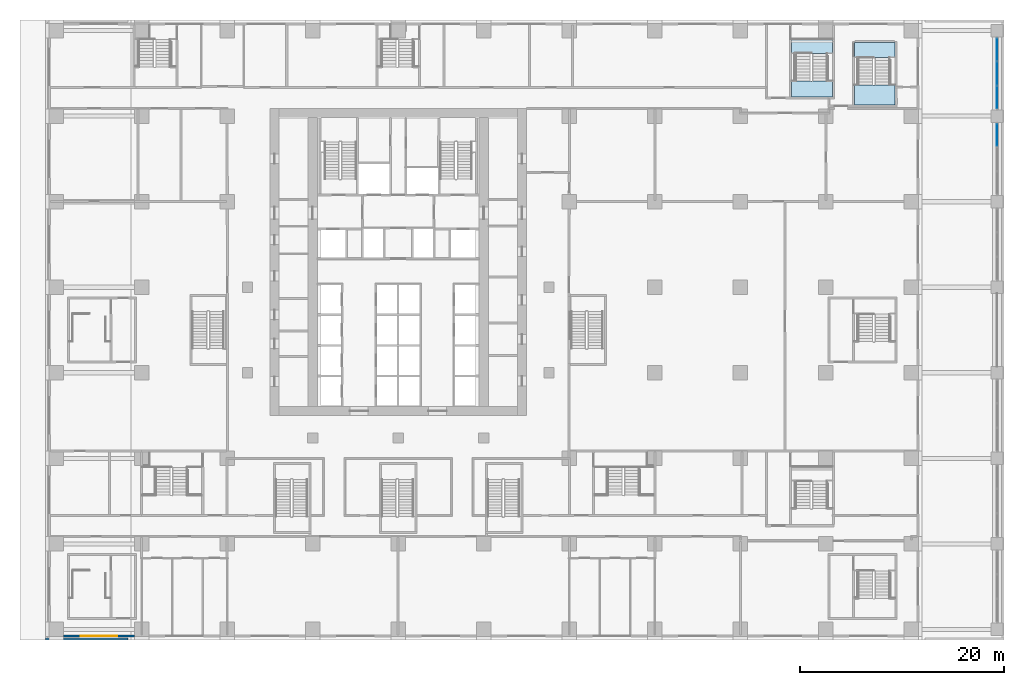
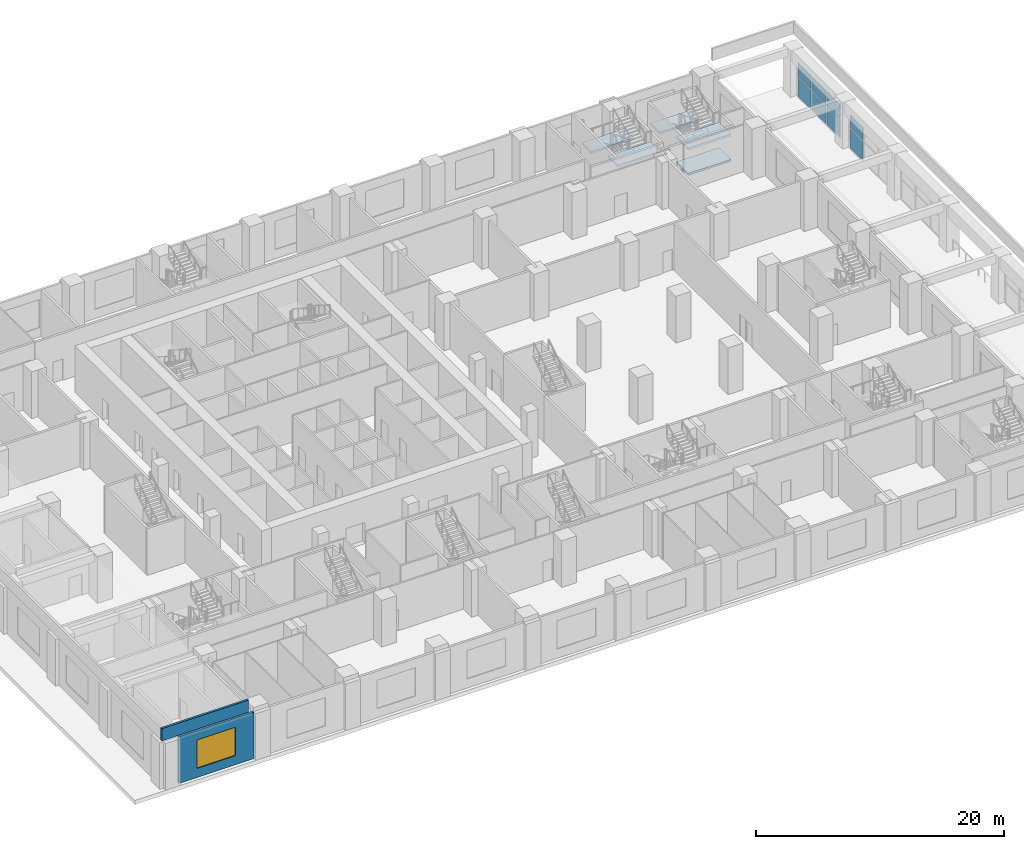
# One storey, part 7 of 29: 8 plates, 5 slabs, 2 walls, 1 window, 1 opening, 4 elements without a shape of their own.
"""IFC4 building model written with IfcOpenShell, lengths in metres."""

from ifc_helpers import new_model, si_unit, direction, frame, frame_2d, origin, origin_2d, place, context, subcontext, project, spatial, polyline, rectangle, outline, extrude, material, layer, layer_set, type_object, element, fill, aggregate, save


model = new_model("IFC4")

# Units and contexts
model_context = context("Model", 3, precision=1e-05, world=origin(), true_north=direction((0.0, 1.0)))
body_context = subcontext(model_context, "Body", "Model", "MODEL_VIEW")
ifc_project = project(units=[si_unit("LENGTHUNIT", "METRE"), si_unit("AREAUNIT", "SQUARE_METRE"), si_unit("VOLUMEUNIT", "CUBIC_METRE"), si_unit("PLANEANGLEUNIT", "RADIAN"), si_unit("MASSUNIT", "GRAM", prefix="KILO")], contexts=[model_context])

# Site, building, storey
site_placement = place(None, origin())
site = spatial("IfcSite", under=ifc_project, at=site_placement, CompositionType="ELEMENT")
building_placement = place(site_placement, origin())
building = spatial("IfcBuilding", under=site, at=building_placement, Name="Vermilion Ogive Tower", CompositionType="ELEMENT")
storey_placement = place(building_placement, frame((0.0, 0.0, 7.5)))
storey = spatial("IfcBuildingStorey", under=building, at=storey_placement, Name="L01", CompositionType="ELEMENT", Elevation=7.5)

# Curtain wall, plates
ifc_material_1 = material(Name="Clear double glazing in aluminium frame", Category="aluminium")
curtain_wall_type = type_object("IfcCurtainWallType", Name="Curtain wall CW2", PredefinedType="NOTDEFINED", material=ifc_material_1)
curtain_wall_1_placement = place(storey_placement, origin())
curtain_wall_1 = element("IfcCurtainWall", 1, at=curtain_wall_1_placement, inside=storey, type_object=curtain_wall_type, Name="CW2 arcade glazing L01 6", PredefinedType="NOTDEFINED")
ifc_material_2 = material(Name="Clear double glazing in aluminium frame", Category="aluminium")
ifc_layer_1 = layer(ifc_material_2, 0.031982421875)
ifc_layer_set_1 = layer_set([ifc_layer_1], Name="CW2 glazing panel 32")
plate_type = type_object("IfcPlateType", Name="CW2 glazing panel 32", PredefinedType="CURTAIN_PANEL", material=ifc_layer_set_1)
plate_1_placement = place(storey_placement, frame((58.800048828125, 19.155029296875, 0.06005859375), z_axis=(0.0, 0.0, 1.0), x_axis=(0.0, 1.0, 0.0)))
plate_1 = element("IfcPlate", 2, at=plate_1_placement, type_object=plate_type, Name="CW2-016 panel 3.1", PredefinedType="CURTAIN_PANEL", context=body_context, shape_type="SweptSolid", body=[
    extrude(rectangle(XDim=2.1298828125, YDim=0.031982421875, at=origin_2d()), origin(), (0.0, 0.0, 1.0), 1.949951171875),
])
plate_2_placement = place(storey_placement, frame((58.800048828125, 19.155029296875, 2.070068359375), z_axis=(0.0, 0.0, 1.0), x_axis=(0.0, 1.0, 0.0)))
plate_2 = element("IfcPlate", 3, at=plate_2_placement, type_object=plate_type, Name="CW2-016 panel 3.2", PredefinedType="CURTAIN_PANEL", context=body_context, shape_type="SweptSolid", body=[
    extrude(rectangle(XDim=2.1298828125, YDim=0.031982421875, at=origin_2d()), origin(), (0.0, 0.0, 1.0), 1.27001953125),
])
aggregate(curtain_wall_1, [plate_1, plate_2])

curtain_wall_2_placement = place(storey_placement, origin())
curtain_wall_2 = element("IfcCurtainWall", 4, at=curtain_wall_2_placement, inside=storey, type_object=curtain_wall_type, Name="CW2 arcade glazing L01 7", PredefinedType="NOTDEFINED")
plate_3_placement = place(storey_placement, frame((58.800048828125, 22.844970703125, 0.06005859375), z_axis=(0.0, 0.0, 1.0), x_axis=(0.0, 1.0, 0.0)))
plate_3 = element("IfcPlate", 5, at=plate_3_placement, type_object=plate_type, Name="CW2-017 panel 1.1", PredefinedType="CURTAIN_PANEL", context=body_context, shape_type="SweptSolid", body=[
    extrude(rectangle(XDim=2.1298828125, YDim=0.031982421875, at=origin_2d()), origin(), (0.0, 0.0, 1.0), 1.949951171875),
])
plate_4_placement = place(storey_placement, frame((58.800048828125, 22.844970703125, 2.070068359375), z_axis=(0.0, 0.0, 1.0), x_axis=(0.0, 1.0, 0.0)))
plate_4 = element("IfcPlate", 6, at=plate_4_placement, type_object=plate_type, Name="CW2-017 panel 1.2", PredefinedType="CURTAIN_PANEL", context=body_context, shape_type="SweptSolid", body=[
    extrude(rectangle(XDim=2.1298828125, YDim=0.031982421875, at=origin_2d()), origin(), (0.0, 0.0, 1.0), 1.27001953125),
])
plate_5_placement = place(storey_placement, frame((58.800048828125, 25.199951171875, 0.06005859375), z_axis=(0.0, 0.0, 1.0), x_axis=(0.0, 1.0, 0.0)))
plate_5 = element("IfcPlate", 7, at=plate_5_placement, type_object=plate_type, Name="CW2-017 panel 2.1", PredefinedType="CURTAIN_PANEL", context=body_context, shape_type="SweptSolid", body=[
    extrude(rectangle(XDim=2.219970703125, YDim=0.031982421875, at=origin_2d()), origin(), (0.0, 0.0, 1.0), 1.949951171875),
])
plate_6_placement = place(storey_placement, frame((58.800048828125, 25.199951171875, 2.070068359375), z_axis=(0.0, 0.0, 1.0), x_axis=(0.0, 1.0, 0.0)))
plate_6 = element("IfcPlate", 8, at=plate_6_placement, type_object=plate_type, Name="CW2-017 panel 2.2", PredefinedType="CURTAIN_PANEL", context=body_context, shape_type="SweptSolid", body=[
    extrude(rectangle(XDim=2.219970703125, YDim=0.031982421875, at=origin_2d()), origin(), (0.0, 0.0, 1.0), 1.27001953125),
])
plate_7_placement = place(storey_placement, frame((58.800048828125, 27.554931640625, 0.06005859375), z_axis=(0.0, 0.0, 1.0), x_axis=(0.0, 1.0, 0.0)))
plate_7 = element("IfcPlate", 9, at=plate_7_placement, type_object=plate_type, Name="CW2-017 panel 3.1", PredefinedType="CURTAIN_PANEL", context=body_context, shape_type="SweptSolid", body=[
    extrude(rectangle(XDim=2.1298828125, YDim=0.031982421875, at=origin_2d()), origin(), (0.0, 0.0, 1.0), 1.949951171875),
])
plate_8_placement = place(storey_placement, frame((58.800048828125, 27.554931640625, 2.070068359375), z_axis=(0.0, 0.0, 1.0), x_axis=(0.0, 1.0, 0.0)))
plate_8 = element("IfcPlate", 10, at=plate_8_placement, type_object=plate_type, Name="CW2-017 panel 3.2", PredefinedType="CURTAIN_PANEL", context=body_context, shape_type="SweptSolid", body=[
    extrude(rectangle(XDim=2.1298828125, YDim=0.031982421875, at=origin_2d()), origin(), (0.0, 0.0, 1.0), 1.27001953125),
])
aggregate(curtain_wall_2, [plate_3, plate_4, plate_5, plate_6, plate_7, plate_8])

# Stair, slabs
ifc_material_3 = material(Name="Concrete B40", Category="concrete")
stair_type = type_object("IfcStairType", Name="Exit stair 1500", PredefinedType="HALF_TURN_STAIR", material=ifc_material_3)
stair_1_placement = place(storey_placement, origin())
stair_1 = element("IfcStair", 11, at=stair_1_placement, inside=storey, type_object=stair_type, Name="L01 Exit Stair PS2", PredefinedType="HALF_TURN_STAIR")
ifc_material_4 = material(Name="Concrete B40", Category="concrete")
ifc_layer_2 = layer(ifc_material_4, 0.199951171875)
ifc_layer_set_2 = layer_set([ifc_layer_2], Name="Stair landing 200")
slab_type = type_object("IfcSlabType", Name="Stair landing 200", PredefinedType="LANDING", material=ifc_layer_set_2)
slab_1_placement = place(storey_placement, frame((0.0, 0.0, 2.300048828125)))
slab_1 = element("IfcSlab", 12, at=slab_1_placement, type_object=slab_type, Name="PS2 landing 2", PredefinedType="LANDING", context=body_context, shape_type="SweptSolid", body=[
    extrude(outline(polyline([(38.650146484375, 27.14990234375), (39.0, 27.14990234375), (39.0, 27.14794921875), (40.5, 27.14794921875), (40.5, 27.14990234375), (40.64990234375, 27.14990234375), (40.64990234375, 27.14794921875), (42.14990234375, 27.14794921875), (42.14990234375, 27.14990234375), (42.64990234375, 27.14990234375), (42.64990234375, 28.64990234375), (38.650146484375, 28.64990234375), (38.650146484375, 27.14990234375)])), origin(), (0.0, 0.0, 1.0), 0.199951171875),
])
slab_2_placement = place(storey_placement, frame((0.0, 0.0, 3.550048828125)))
slab_2 = element("IfcSlab", 13, at=slab_2_placement, type_object=slab_type, Name="PS2 landing 3", PredefinedType="LANDING", context=body_context, shape_type="SweptSolid", body=[
    extrude(outline(polyline([(42.64990234375, 24.449951171875), (42.14990234375, 24.449951171875), (42.14990234375, 24.451904296875), (40.64990234375, 24.451904296875), (40.64990234375, 24.449951171875), (40.5, 24.449951171875), (40.5, 24.451904296875), (39.0, 24.451904296875), (39.0, 24.449951171875), (38.650146484375, 24.449951171875), (38.650146484375, 22.875), (42.64990234375, 22.875), (42.64990234375, 24.449951171875)])), origin(), (0.0, 0.0, 1.0), 0.199951171875),
])
aggregate(stair_1, [slab_1, slab_2])

stair_2_placement = place(storey_placement, origin())
stair_2 = element("IfcStair", 14, at=stair_2_placement, inside=storey, type_object=stair_type, Name="L01 Exit Stair PEN", PredefinedType="HALF_TURN_STAIR")
slab_3_placement = place(storey_placement, frame((0.0, 0.0, 1.050048828125)))
slab_3 = element("IfcSlab", 15, at=slab_3_placement, type_object=slab_type, Name="PEN landing 1", PredefinedType="LANDING", context=body_context, shape_type="SweptSolid", body=[
    extrude(outline(polyline([(48.8125, 24.050048828125), (48.300048828125, 24.050048828125), (48.300048828125, 24.052001953125), (46.800048828125, 24.052001953125), (46.800048828125, 24.050048828125), (46.64990234375, 24.050048828125), (46.64990234375, 24.052001953125), (45.14990234375, 24.052001953125), (45.14990234375, 24.050048828125), (44.800048828125, 24.050048828125), (44.800048828125, 22.125), (48.8125, 22.125), (48.8125, 24.050048828125)])), origin(), (0.0, 0.0, 1.0), 0.199951171875),
])
slab_4_placement = place(storey_placement, frame((0.0, 0.0, 2.300048828125)))
slab_4 = element("IfcSlab", 16, at=slab_4_placement, type_object=slab_type, Name="PEN landing 2", PredefinedType="LANDING", context=body_context, shape_type="SweptSolid", body=[
    extrude(outline(polyline([(44.800048828125, 26.75), (45.14990234375, 26.75), (45.14990234375, 26.748046875), (46.64990234375, 26.748046875), (46.64990234375, 26.75), (46.800048828125, 26.75), (46.800048828125, 26.748046875), (48.300048828125, 26.748046875), (48.300048828125, 26.75), (48.7998046875, 26.75), (48.7998046875, 28.25), (44.800048828125, 28.25), (44.800048828125, 26.75)])), origin(), (0.0, 0.0, 1.0), 0.199951171875),
])
slab_5_placement = place(storey_placement, frame((0.0, 0.0, 3.550048828125)))
slab_5 = element("IfcSlab", 17, at=slab_5_placement, type_object=slab_type, Name="PEN landing 3", PredefinedType="LANDING", context=body_context, shape_type="SweptSolid", body=[
    extrude(outline(polyline([(48.8125, 24.050048828125), (48.300048828125, 24.050048828125), (48.300048828125, 24.052001953125), (46.800048828125, 24.052001953125), (46.800048828125, 24.050048828125), (46.64990234375, 24.050048828125), (46.64990234375, 24.052001953125), (45.14990234375, 24.052001953125), (45.14990234375, 24.050048828125), (44.800048828125, 24.050048828125), (44.800048828125, 22.125), (48.8125, 22.125), (48.8125, 24.050048828125)])), origin(), (0.0, 0.0, 1.0), 0.199951171875),
])
aggregate(stair_2, [slab_3, slab_4, slab_5])

# Wall
ifc_material_5 = material(Name="Concrete B45", Category="concrete")
ifc_layer_3 = layer(ifc_material_5, 0.199951171875)
ifc_layer_set_3 = layer_set([ifc_layer_3], Name="Terrace parapet RC Concrete B45")
wall_type_1 = type_object("IfcWallType", Name="Terrace parapet RC Concrete B45", PredefinedType="PARAPET", material=ifc_layer_set_3)
wall_1_placement = place(storey_placement, frame((-34.64990234375, -30.35009765625, 5.0), z_axis=(0.0, 0.0, 1.0), x_axis=(1.0, 0.0, 0.0)))
element("IfcWall", 18, at=wall_1_placement, inside=storey, type_object=wall_type_1, Name="L01 terrace parapet 1", PredefinedType="PARAPET", context=body_context, shape_type="SweptSolid", body=[
    extrude(rectangle(XDim=8.099853515625, YDim=0.199951171875, at=frame_2d((4.0498046875, 0.0))), origin(), (0.0, 0.0, 1.0), 1.199951171875),
])

# Wall, opening, window
ifc_material_6 = material(Name="Aluminium window wall framing", Category="aluminium")
ifc_layer_4 = layer(ifc_material_6, 0.199951171875)
ifc_layer_set_4 = layer_set([ifc_layer_4], Name="Window wall")
wall_type_2 = type_object("IfcWallType", Name="Window wall", PredefinedType="STANDARD", material=ifc_layer_set_4)
wall_2_placement = place(storey_placement, frame((-32.89990234375, -30.050048828125, 0.0), z_axis=(0.0, 0.0, 1.0), x_axis=(1.0, 0.0, 0.0)))
wall_2 = element("IfcWall", 19, at=wall_2_placement, inside=storey, type_object=wall_type_2, Name="Window wall S1", PredefinedType="STANDARD", context=body_context, shape_type="SweptSolid", body=[
    extrude(rectangle(XDim=7.0, YDim=0.199951171875, at=frame_2d((3.5, 0.0))), origin(), (0.0, 0.0, 1.0), 4.60009765625),
])
opening_placement = place(wall_2_placement, frame((1.699951171875, 0.0, 0.89990234375)))
opening = element("IfcOpeningElement", 20, at=opening_placement, cuts=wall_2, Name="Opening P-S1", PredefinedType="OPENING", context=body_context, shape_type="SweptSolid", body=[
    extrude(rectangle(XDim=3.60009765625, YDim=2.800048828125, at=frame_2d((1.800048828125, 1.39990234375))), frame((0.0, 0.10986328125, 0.0), z_axis=(0.0, -1.0, 0.0), x_axis=(1.0, 0.0, 0.0)), (0.0, 0.0, 1.0), 0.219970703125),
])
ifc_material_7 = material(Name="Aluminium framed double glazing", Category="aluminium")
window_type = type_object("IfcWindowType", Name="Podium window P 3600x2800 sill 900", PartitioningType="SINGLE_PANEL", PredefinedType="WINDOW", material=ifc_material_7)
window_placement = place(opening_placement, origin())
window = element("IfcWindow", 21, at=window_placement, inside=storey, type_object=window_type, Name="Window S1", OverallHeight=2.800048828125, OverallWidth=3.60009765625, PartitioningType="SINGLE_PANEL", PredefinedType="WINDOW", context=body_context, shape_type="SweptSolid", body=[
    extrude(rectangle(XDim=3.60009765625, YDim=2.800048828125, at=frame_2d((1.800048828125, 1.39990234375))), frame((0.0, 0.030029296875, 0.0), z_axis=(0.0, -1.0, 0.0), x_axis=(1.0, 0.0, 0.0)), (0.0, 0.0, 1.0), 0.06005859375),
])
fill(opening, window)

save(model, "model.ifc")
